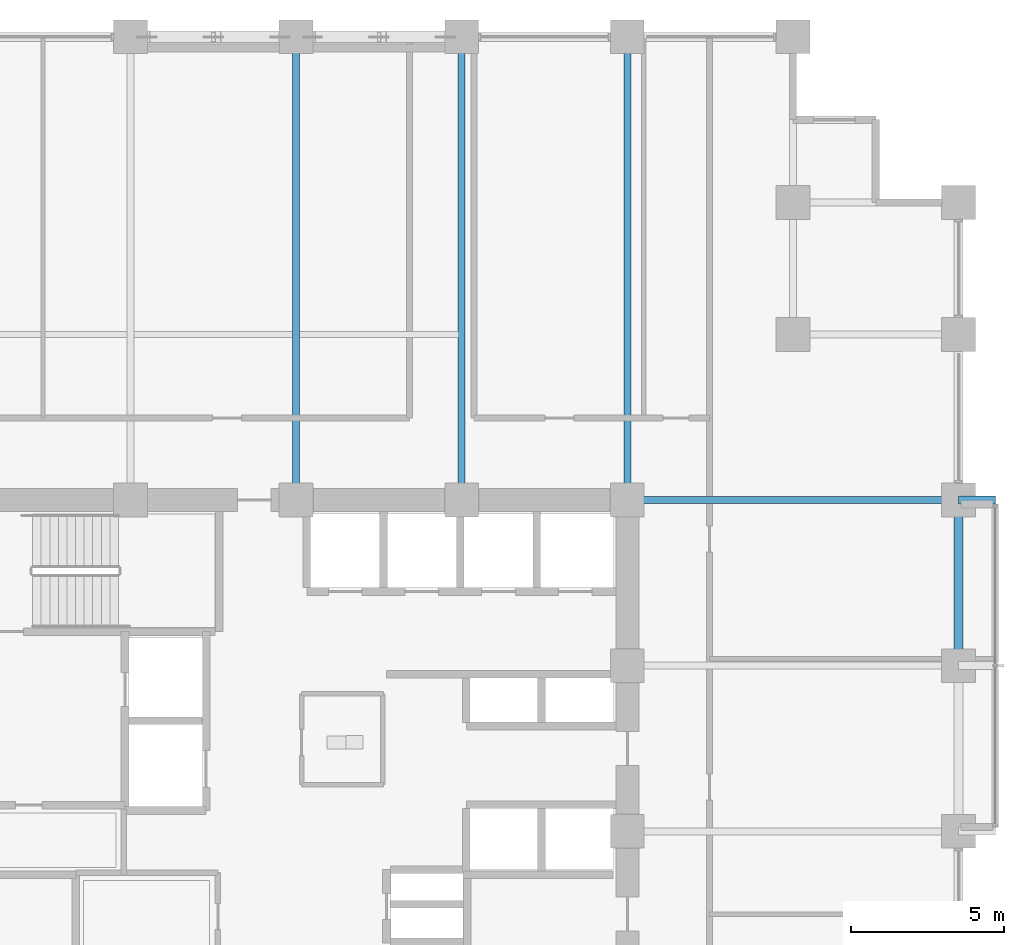
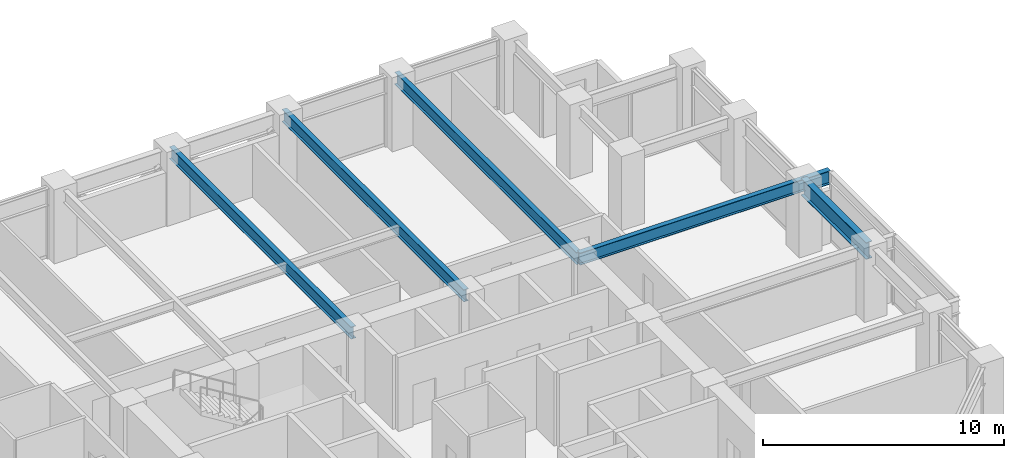
# One storey, part 15 of 26: 6 beams.
"""IFC4 building model written with IfcOpenShell, lengths in metres."""

from ifc_helpers import new_model, si_unit, direction, frame, origin, origin_2d, place, context, subcontext, project, spatial, i_section, extrude, material, material_profile, profile_set, type_object, element, save


model = new_model("IFC4")

# Units and contexts
model_context = context("Model", 3, precision=1e-05, world=origin(), true_north=direction((0.0, 1.0)))
body_context = subcontext(model_context, "Body", "Model", "MODEL_VIEW")
ifc_project = project(units=[si_unit("LENGTHUNIT", "METRE"), si_unit("AREAUNIT", "SQUARE_METRE"), si_unit("VOLUMEUNIT", "CUBIC_METRE"), si_unit("PLANEANGLEUNIT", "RADIAN"), si_unit("MASSUNIT", "GRAM", prefix="KILO")], contexts=[model_context])

# Site, building, storey
site_placement = place(None, origin())
site = spatial("IfcSite", under=ifc_project, at=site_placement, CompositionType="ELEMENT")
building_placement = place(site_placement, origin())
building = spatial("IfcBuilding", under=site, at=building_placement, Name="Surkhivell Harbour Commons", CompositionType="ELEMENT")
storey_placement = place(building_placement, frame((0.0, 0.0, 102.0)))
storey = spatial("IfcBuildingStorey", under=building, at=storey_placement, Name="L26", CompositionType="ELEMENT", Elevation=102.0)

# Beams
ifc_material_1 = material(Name="Steel S460", Category="steel")
ifc_material_profile_1 = material_profile(ifc_material_1, i_section(OverallWidth=0.256103515625, OverallDepth=0.693115234375, WebThickness=0.014404296875, FlangeThickness=0.023681640625, at=origin_2d()), Name="UB686x254x170")
ifc_profile_set_1 = profile_set([ifc_material_profile_1], Name="Steel S460")
beam_type_1 = type_object("IfcBeamType", Name="BM-CNT-686", PredefinedType="BEAM", material=ifc_profile_set_1)
beam_1_placement = place(storey_placement, frame((21.60009765625, 10.800048828125, 3.223388671875), z_axis=(1.0, 0.0, 0.0), x_axis=(0.0, 1.0, 0.0)))
element("IfcBeam", 1, at=beam_1_placement, inside=storey, type_object=beam_type_1, Name="L26 Box Cantilever Outrigger (21.6,10.8)", PredefinedType="BEAM", context=body_context, shape_type="SweptSolid", body=[
    extrude(i_section(OverallWidth=0.256103515625, OverallDepth=0.693115234375, WebThickness=0.014404296875, FlangeThickness=0.023681640625, at=origin_2d()), origin(), (0.0, 0.0, 1.0), 1.199951171875),
])
ifc_material_2 = material(Name="Steel S355", Category="steel")
ifc_material_profile_2 = material_profile(ifc_material_2, i_section(OverallWidth=0.22998046875, OverallDepth=0.616943359375, WebThickness=0.01318359375, FlangeThickness=0.022216796875, at=origin_2d()), Name="UB610x229x140")
ifc_profile_set_2 = profile_set([ifc_material_profile_2], Name="Steel S355")
beam_type_2 = type_object("IfcBeamType", Name="BM-GRD-610B", PredefinedType="BEAM", material=ifc_profile_set_2)
for number, where, z_axis, x_axis, name in (
    (2, (0.0, 10.800048828125, 3.261474609375), (0.0, 1.0, 0.0), (-1.0, 0.0, 0.0), "L26 Floor Girder (0.0,10.8)"),
    (3, (5.39990234375, 10.800048828125, 3.261474609375), (0.0, 1.0, 0.0), (-1.0, 0.0, 0.0), "L26 Floor Girder (5.4,10.8)"),
    (4, (10.800048828125, 10.800048828125, 3.261474609375), (0.0, 1.0, 0.0), (-1.0, 0.0, 0.0), "L26 Floor Girder (10.8,10.8)"),
):
    element("IfcBeam", number, at=place(storey_placement, frame(where, z_axis=z_axis, x_axis=x_axis)), inside=storey, type_object=beam_type_2, Name=name, PredefinedType="BEAM", context=body_context, shape_type="SweptSolid", body=[
        extrude(i_section(OverallWidth=0.22998046875, OverallDepth=0.616943359375, WebThickness=0.01318359375, FlangeThickness=0.022216796875, at=origin_2d()), origin(), (0.0, 0.0, 1.0), 15.099853515625),
    ])
beam_2_placement = place(storey_placement, frame((10.800048828125, 10.800048828125, 3.261474609375), z_axis=(1.0, 0.0, 0.0), x_axis=(0.0, 1.0, 0.0)))
element("IfcBeam", 5, at=beam_2_placement, inside=storey, type_object=beam_type_2, Name="L26 Floor Girder (10.8,10.8)", PredefinedType="BEAM", context=body_context, shape_type="SweptSolid", body=[
    extrude(i_section(OverallWidth=0.22998046875, OverallDepth=0.616943359375, WebThickness=0.01318359375, FlangeThickness=0.022216796875, at=origin_2d()), origin(), (0.0, 0.0, 1.0), 10.800048828125),
])
ifc_material_profile_3 = material_profile(ifc_material_1, i_section(OverallWidth=0.2939453125, OverallDepth=0.85107421875, WebThickness=0.01611328125, FlangeThickness=0.02685546875, at=origin_2d()), Name="UB838x292x226")
ifc_profile_set_3 = profile_set([ifc_material_profile_3], Name="Steel S460")
beam_type_3 = type_object("IfcBeamType", Name="BM-SPN-838", PredefinedType="SPANDREL", material=ifc_profile_set_3)
beam_3_placement = place(storey_placement, frame((21.60009765625, 5.39990234375, 3.14453125), z_axis=(0.0, 1.0, 0.0), x_axis=(-1.0, 0.0, 0.0)))
element("IfcBeam", 6, at=beam_3_placement, inside=storey, type_object=beam_type_3, Name="L26 Tube Spandrel (21.6,5.4)", PredefinedType="SPANDREL", context=body_context, shape_type="SweptSolid", body=[
    extrude(i_section(OverallWidth=0.2939453125, OverallDepth=0.85107421875, WebThickness=0.01611328125, FlangeThickness=0.02685546875, at=origin_2d()), origin(), (0.0, 0.0, 1.0), 5.400146484375),
])

save(model, "model.ifc")
